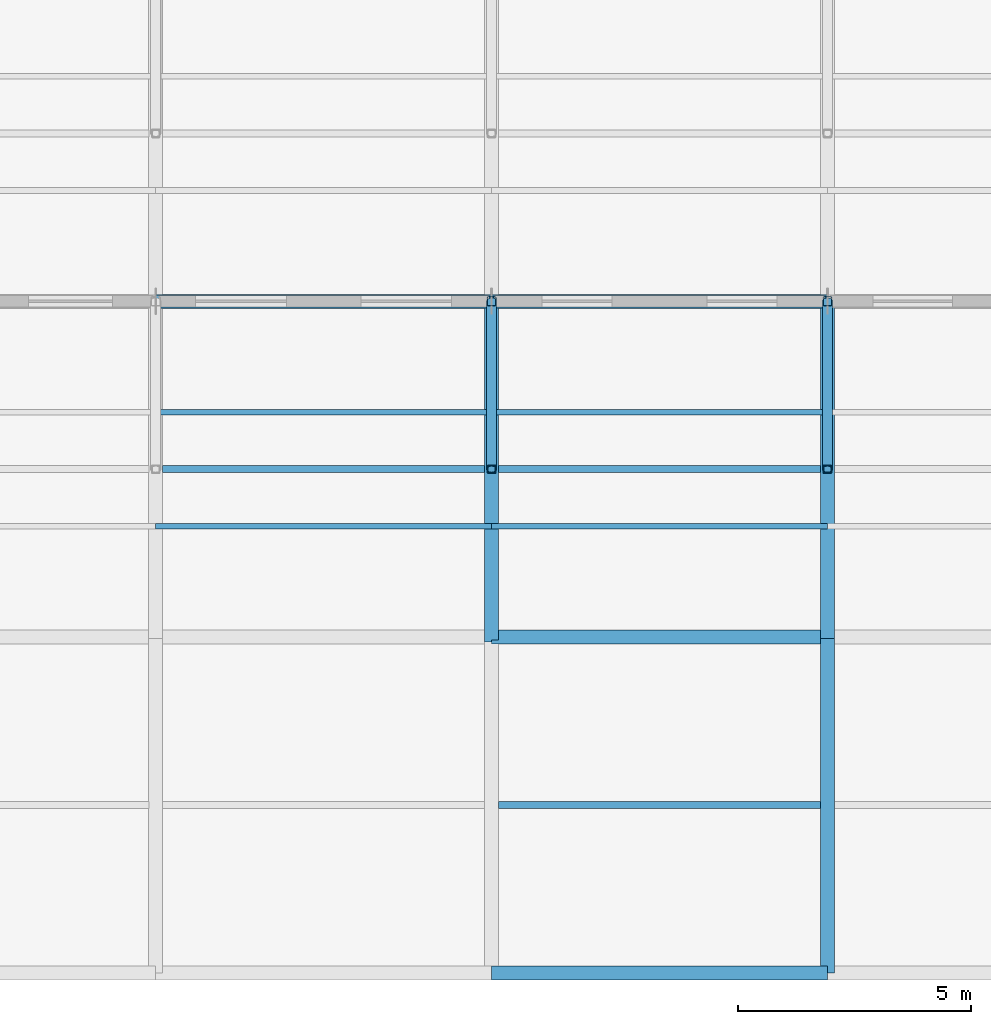
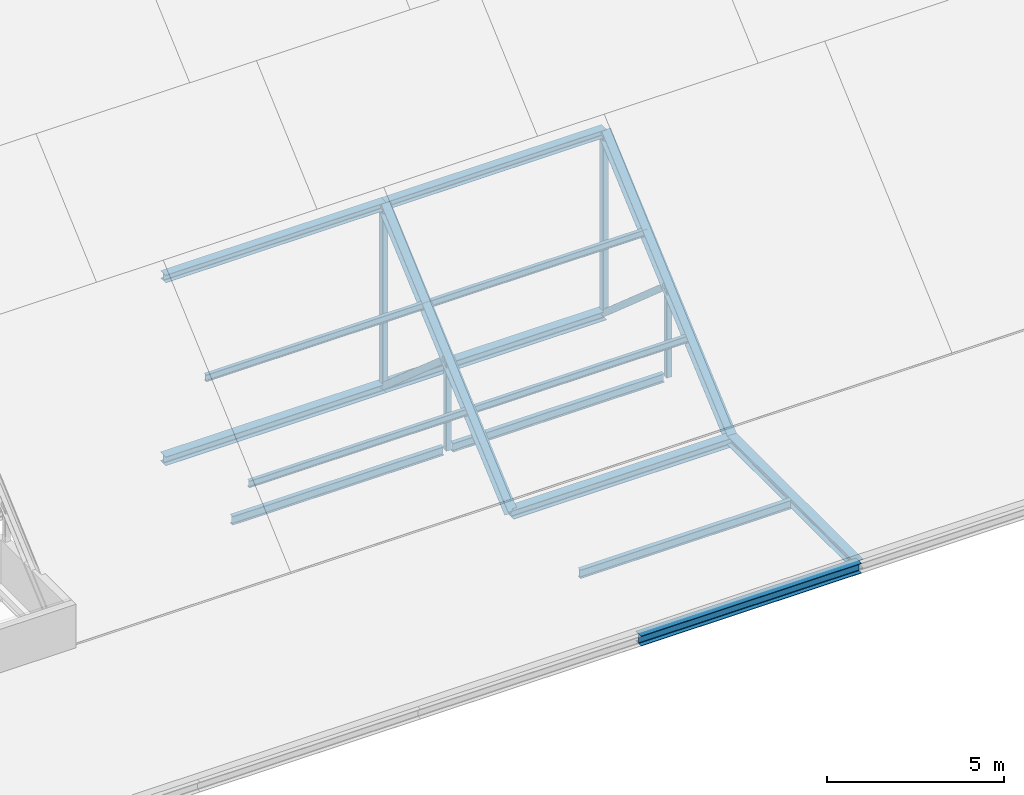
# One storey, part 6 of 31: 14 beams, 8 members.
"""IFC4 building model written with IfcOpenShell, lengths in metres."""

from ifc_helpers import new_model, si_unit, direction, frame, origin, origin_2d, place, context, subcontext, project, spatial, hollow_rectangle, hollow_circle, i_section, extrude, material, material_profile, profile_set, type_object, element, save


model = new_model("IFC4")

# Units and contexts
model_context = context("Model", 3, precision=1e-05, world=origin(), true_north=direction((0.0, 1.0)))
body_context = subcontext(model_context, "Body", "Model", "MODEL_VIEW")
ifc_project = project(units=[si_unit("LENGTHUNIT", "METRE"), si_unit("AREAUNIT", "SQUARE_METRE"), si_unit("VOLUMEUNIT", "CUBIC_METRE"), si_unit("PLANEANGLEUNIT", "RADIAN"), si_unit("MASSUNIT", "GRAM", prefix="KILO")], contexts=[model_context])

# Site, building, storey
site_placement = place(None, origin())
site = spatial("IfcSite", under=ifc_project, at=site_placement, CompositionType="ELEMENT")
building_placement = place(site_placement, origin())
building = spatial("IfcBuilding", under=site, at=building_placement, Name="Zlatovets Crest Museum", CompositionType="ELEMENT")
storey_placement = place(building_placement, frame((0.0, 0.0, 25.199951171875)))
storey = spatial("IfcBuildingStorey", under=building, at=storey_placement, Name="L05", CompositionType="ELEMENT", Elevation=25.199951171875)

# Beams
ifc_material = material(Name="Structural steel S355J2", Category="steel")
ifc_material_profile_1 = material_profile(ifc_material, i_section(OverallWidth=0.300048828125, OverallDepth=0.35009765625, WebThickness=0.010009765625, FlangeThickness=0.017578125, FilletRadius=0.027099609375, at=origin_2d()), Name="HEA 360")
ifc_profile_set_1 = profile_set([ifc_material_profile_1], Name="Structural steel S355J2")
beam_type_1 = type_object("IfcBeamType", Name="Beam_B-03", PredefinedType="BEAM", material=ifc_profile_set_1)
beam_1_placement = place(storey_placement, frame((79.199951171875, 0.0, -0.39501953125), z_axis=(1.0, 0.0, 0.0), x_axis=(0.0, 1.0, 0.0)))
element("IfcBeam", 1, at=beam_1_placement, inside=storey, type_object=beam_type_1, Name="V2 L05 Primary Girder B-03", PredefinedType="BEAM", context=body_context, shape_type="SweptSolid", body=[
    extrude(i_section(OverallWidth=0.300048828125, OverallDepth=0.35009765625, WebThickness=0.010009765625, FlangeThickness=0.017578125, FilletRadius=0.027099609375, at=origin_2d()), origin(), (0.0, 0.0, 1.0), 7.199951171875),
])
ifc_material_profile_2 = material_profile(ifc_material, i_section(OverallWidth=0.300048828125, OverallDepth=0.31005859375, WebThickness=0.009033203125, FlangeThickness=0.015380859375, FilletRadius=0.027099609375, at=origin_2d()), Name="HEA 320")
ifc_profile_set_2 = profile_set([ifc_material_profile_2], Name="Structural steel S355J2")
beam_type_2 = type_object("IfcBeamType", Name="Beam_B-04", PredefinedType="BEAM", material=ifc_profile_set_2)
for number, where, z_axis, x_axis, name in (
    (2, (86.39990234375, 0.0, -0.375), (0.0, 1.0, 0.0), (-1.0, 0.0, 0.0), "V2 L05 Grid Beam B-04"),
    (3, (72.0, 14.39990234375, -0.39990234375), (1.0, 0.0, 0.0), (0.0, 1.0, 0.0), "V2 Sawtooth Tooth 1 Valley / Clerestory Sill Girder"),
    (4, (79.199951171875, 7.199951171875, -0.39990234375), (1.0, 0.0, 0.0), (0.0, 1.0, 0.0), "V2 Sawtooth South Eave Valley Girder"),
    (5, (79.199951171875, 14.39990234375, -0.39990234375), (1.0, 0.0, 0.0), (0.0, 1.0, 0.0), "V2 Sawtooth Tooth 1 Valley / Clerestory Sill Girder"),
):
    element("IfcBeam", number, at=place(storey_placement, frame(where, z_axis=z_axis, x_axis=x_axis)), inside=storey, type_object=beam_type_2, Name=name, PredefinedType="BEAM", context=body_context, shape_type="SweptSolid", body=[
        extrude(i_section(OverallWidth=0.300048828125, OverallDepth=0.31005859375, WebThickness=0.009033203125, FlangeThickness=0.015380859375, FilletRadius=0.027099609375, at=origin_2d()), origin(), (0.0, 0.0, 1.0), 7.199951171875),
    ])
ifc_material_profile_3 = material_profile(ifc_material, i_section(OverallWidth=0.280029296875, OverallDepth=0.27001953125, WebThickness=0.008056640625, FlangeThickness=0.012939453125, FilletRadius=0.02392578125, at=origin_2d()), Name="HEA 280")
ifc_profile_set_3 = profile_set([ifc_material_profile_3], Name="Structural steel S355J2")
beam_type_3 = type_object("IfcBeamType", Name="Beam_B-05", PredefinedType="BEAM", material=ifc_profile_set_3)
for number, where, z_axis, x_axis, name in (
    (6, (72.0, 14.39990234375, 5.8857421875), (1.0, 0.0, 0.0), (0.0, 1.0, 0.0), "V2 Sawtooth Tooth 1 Ridge Girder"),
    (7, (79.199951171875, 14.39990234375, 5.8857421875), (1.0, 0.0, 0.0), (0.0, 1.0, 0.0), "V2 Sawtooth Tooth 1 Ridge Girder"),
):
    element("IfcBeam", number, at=place(storey_placement, frame(where, z_axis=z_axis, x_axis=x_axis)), inside=storey, type_object=beam_type_3, Name=name, PredefinedType="BEAM", context=body_context, shape_type="SweptSolid", body=[
        extrude(i_section(OverallWidth=0.280029296875, OverallDepth=0.27001953125, WebThickness=0.008056640625, FlangeThickness=0.012939453125, FilletRadius=0.02392578125, at=origin_2d()), origin(), (0.0, 0.0, 1.0), 7.199951171875),
    ])
ifc_material_profile_4 = material_profile(ifc_material, i_section(OverallWidth=0.14990234375, OverallDepth=0.300048828125, WebThickness=0.007080078125, FlangeThickness=0.0107421875, FilletRadius=0.014892578125, at=origin_2d()), Name="IPE 300")
ifc_profile_set_4 = profile_set([ifc_material_profile_4], Name="Structural steel S355J2")
beam_type_4 = type_object("IfcBeamType", Name="Beam_J-02", PredefinedType="JOIST", material=ifc_profile_set_4)
beam_2_placement = place(storey_placement, frame((72.14990234375, 10.800048828125, -0.369873046875), z_axis=(1.0, 0.0, 0.0), x_axis=(0.0, 1.0, 0.0)))
element("IfcBeam", 8, at=beam_2_placement, inside=storey, type_object=beam_type_4, Name="V2 L05 Composite Joist J-02", PredefinedType="JOIST", context=body_context, shape_type="SweptSolid", body=[
    extrude(i_section(OverallWidth=0.14990234375, OverallDepth=0.300048828125, WebThickness=0.007080078125, FlangeThickness=0.0107421875, FilletRadius=0.014892578125, at=origin_2d()), origin(), (0.0, 0.0, 1.0), 6.900146484375),
])
for number, where, z_axis, x_axis, name in (
    (9, (79.35009765625, 3.60009765625, -0.369873046875), (1.0, 0.0, 0.0), (0.0, 1.0, 0.0), "V2 L05 Composite Joist J-02"),
    (10, (79.35009765625, 10.800048828125, -0.369873046875), (1.0, 0.0, 0.0), (0.0, 1.0, 0.0), "V2 L05 Composite Joist J-02"),
):
    element("IfcBeam", number, at=place(storey_placement, frame(where, z_axis=z_axis, x_axis=x_axis)), inside=storey, type_object=beam_type_4, Name=name, PredefinedType="JOIST", context=body_context, shape_type="SweptSolid", body=[
        extrude(i_section(OverallWidth=0.14990234375, OverallDepth=0.300048828125, WebThickness=0.007080078125, FlangeThickness=0.0107421875, FilletRadius=0.014892578125, at=origin_2d()), origin(), (0.0, 0.0, 1.0), 6.89990234375),
    ])
ifc_material_profile_5 = material_profile(ifc_material, i_section(OverallWidth=0.1201171875, OverallDepth=0.239990234375, WebThickness=0.006103515625, FlangeThickness=0.009765625, FilletRadius=0.014892578125, at=origin_2d()), Name="IPE 240")
ifc_profile_set_5 = profile_set([ifc_material_profile_5], Name="Structural steel S355J2")
beam_type_5 = type_object("IfcBeamType", Name="Beam_PR-01", PredefinedType="BEAM", material=ifc_profile_set_5)
for number, where, z_axis, x_axis, name in (
    (11, (72.0, 9.575927734375, 1.672607421875), (1.0, 0.0, 0.0), (0.0, 1.0, 0.0), "V2 Sawtooth Tooth 1 Purlin PR-01"),
    (12, (72.0, 12.02392578125, 3.8486328125), (1.0, 0.0, 0.0), (0.0, 1.0, 0.0), "V2 Sawtooth Tooth 1 Purlin PR-01"),
    (13, (79.199951171875, 9.575927734375, 1.672607421875), (1.0, 0.0, 0.0), (0.0, 1.0, 0.0), "V2 Sawtooth Tooth 1 Purlin PR-01"),
    (14, (79.199951171875, 12.02392578125, 3.8486328125), (1.0, 0.0, 0.0), (0.0, 1.0, 0.0), "V2 Sawtooth Tooth 1 Purlin PR-01"),
):
    element("IfcBeam", number, at=place(storey_placement, frame(where, z_axis=z_axis, x_axis=x_axis)), inside=storey, type_object=beam_type_5, Name=name, PredefinedType="BEAM", context=body_context, shape_type="SweptSolid", body=[
        extrude(i_section(OverallWidth=0.1201171875, OverallDepth=0.239990234375, WebThickness=0.006103515625, FlangeThickness=0.009765625, FilletRadius=0.014892578125, at=origin_2d()), origin(), (0.0, 0.0, 1.0), 7.199951171875),
    ])

# Members
ifc_material_profile_6 = material_profile(ifc_material, i_section(OverallWidth=0.300048828125, OverallDepth=0.31005859375, WebThickness=0.009033203125, FlangeThickness=0.015380859375, FilletRadius=0.027099609375, at=origin_2d()), Name="HEA 320")
ifc_profile_set_6 = profile_set([ifc_material_profile_6], Name="Structural steel S355J2")
member_type_1 = type_object("IfcMemberType", Name="Member_TM-02", PredefinedType="RAFTER", material=ifc_profile_set_6)
for number, where, z_axis, x_axis, name in (
    (15, (79.199951171875, 7.199951171875, -0.39990234375), (0.0, 0.753318349335, 0.65765603818), (-1.0, 0.0, 0.0), "V2 Sawtooth Tooth 1 Rafter Chord"),
    (16, (86.39990234375, 7.199951171875, -0.39990234375), (0.0, 0.753318349335, 0.65765603818), (-1.0, 0.0, 0.0), "V2 Sawtooth Tooth 1 Rafter Chord"),
):
    element("IfcMember", number, at=place(storey_placement, frame(where, z_axis=z_axis, x_axis=x_axis)), inside=storey, type_object=member_type_1, Name=name, PredefinedType="RAFTER", context=body_context, shape_type="SweptSolid", body=[
        extrude(i_section(OverallWidth=0.300048828125, OverallDepth=0.31005859375, WebThickness=0.009033203125, FlangeThickness=0.015380859375, FilletRadius=0.027099609375, at=origin_2d()), origin(), (0.0, 0.0, 1.0), 9.5576171875),
    ])
ifc_material_profile_7 = material_profile(ifc_material, hollow_rectangle(XDim=0.199951171875, YDim=0.199951171875, WallThickness=0.012451171875, InnerFilletRadius=0.012451171875, OuterFilletRadius=0.02490234375, at=origin_2d()), Name="SHS 200x200x12.5")
ifc_profile_set_7 = profile_set([ifc_material_profile_7], Name="Structural steel S355J2")
member_type_2 = type_object("IfcMemberType", Name="Member_TM-03", PredefinedType="BRACE", material=ifc_profile_set_7)
for number, where, z_axis, x_axis, name in (
    (17, (79.199951171875, 14.39990234375, -0.39990234375), (0.0, 0.0, 1.0), (1.0, 0.0, 0.0), "V2 Sawtooth Tooth 1 North-Light Post"),
    (18, (86.39990234375, 14.39990234375, -0.39990234375), (0.0, 0.0, 1.0), (1.0, 0.0, 0.0), "V2 Sawtooth Tooth 1 North-Light Post"),
):
    element("IfcMember", number, at=place(storey_placement, frame(where, z_axis=z_axis, x_axis=x_axis)), inside=storey, type_object=member_type_2, Name=name, PredefinedType="BRACE", context=body_context, shape_type="SweptSolid", body=[
        extrude(hollow_rectangle(XDim=0.199951171875, YDim=0.199951171875, WallThickness=0.012451171875, InnerFilletRadius=0.012451171875, OuterFilletRadius=0.02490234375, at=origin_2d()), origin(), (0.0, 0.0, 1.0), 6.28564453125),
    ])
ifc_material_profile_8 = material_profile(ifc_material, hollow_rectangle(XDim=0.179931640625, YDim=0.179931640625, WallThickness=0.010009765625, InnerFilletRadius=0.010009765625, OuterFilletRadius=0.02001953125, at=origin_2d()), Name="SHS 180x180x10.0")
ifc_profile_set_8 = profile_set([ifc_material_profile_8], Name="Structural steel S355J2")
member_type_3 = type_object("IfcMemberType", Name="Member_TM-04", PredefinedType="STRUT", material=ifc_profile_set_8)
for number, where, z_axis, x_axis, name in (
    (19, (79.199951171875, 10.800048828125, -0.39990234375), (0.0, 0.0, 1.0), (1.0, 0.0, 0.0), "V2 Sawtooth Tooth 1 Web Post"),
    (20, (86.39990234375, 10.800048828125, -0.39990234375), (0.0, 0.0, 1.0), (1.0, 0.0, 0.0), "V2 Sawtooth Tooth 1 Web Post"),
):
    element("IfcMember", number, at=place(storey_placement, frame(where, z_axis=z_axis, x_axis=x_axis)), inside=storey, type_object=member_type_3, Name=name, PredefinedType="STRUT", context=body_context, shape_type="SweptSolid", body=[
        extrude(hollow_rectangle(XDim=0.179931640625, YDim=0.179931640625, WallThickness=0.010009765625, InnerFilletRadius=0.010009765625, OuterFilletRadius=0.02001953125, at=origin_2d()), origin(), (0.0, 0.0, 1.0), 3.142822265625),
    ])
ifc_material_profile_9 = material_profile(ifc_material, hollow_circle(Radius=0.109619140625, WallThickness=0.010009765625, at=origin_2d()), Name="CHS 219.1x10.0")
ifc_profile_set_9 = profile_set([ifc_material_profile_9], Name="Structural steel S355J2")
member_type_4 = type_object("IfcMemberType", Name="Member_TM-05", PredefinedType="BRACE", material=ifc_profile_set_9)
for number, where, z_axis, x_axis, name in (
    (21, (79.199951171875, 10.800048828125, 2.742919921875), (0.0, 0.75330730094, -0.657668693455), (-1.0, 0.0, 0.0), "V2 Sawtooth Tooth 1 Web Diagonal"),
    (22, (86.39990234375, 10.800048828125, 2.742919921875), (0.0, 0.75330730094, -0.657668693455), (-1.0, 0.0, 0.0), "V2 Sawtooth Tooth 1 Web Diagonal"),
):
    element("IfcMember", number, at=place(storey_placement, frame(where, z_axis=z_axis, x_axis=x_axis)), inside=storey, type_object=member_type_4, Name=name, PredefinedType="BRACE", context=body_context, shape_type="SweptSolid", body=[
        extrude(hollow_circle(Radius=0.109619140625, WallThickness=0.010009765625, at=origin_2d()), origin(), (0.0, 0.0, 1.0), 4.77880859375),
    ])

save(model, "model.ifc")
